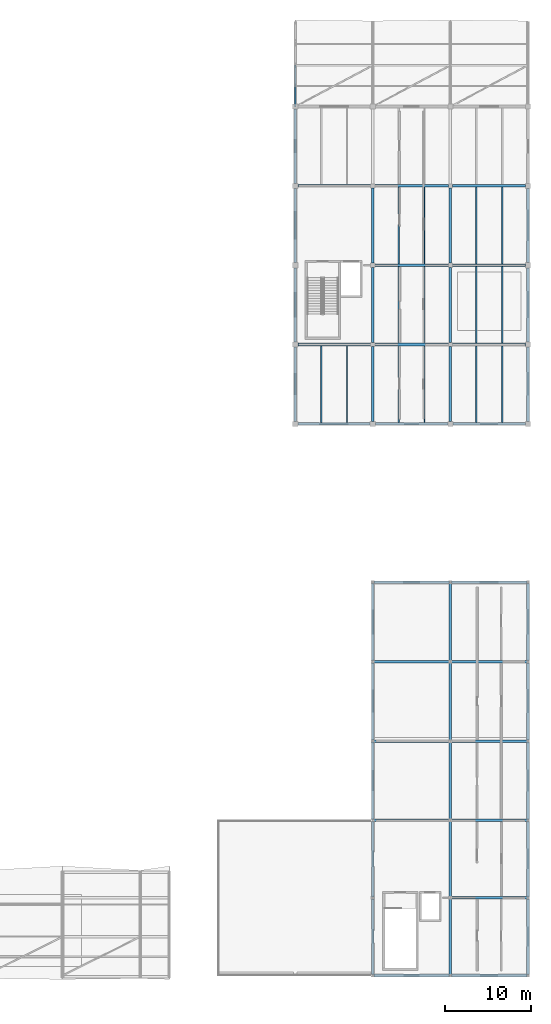
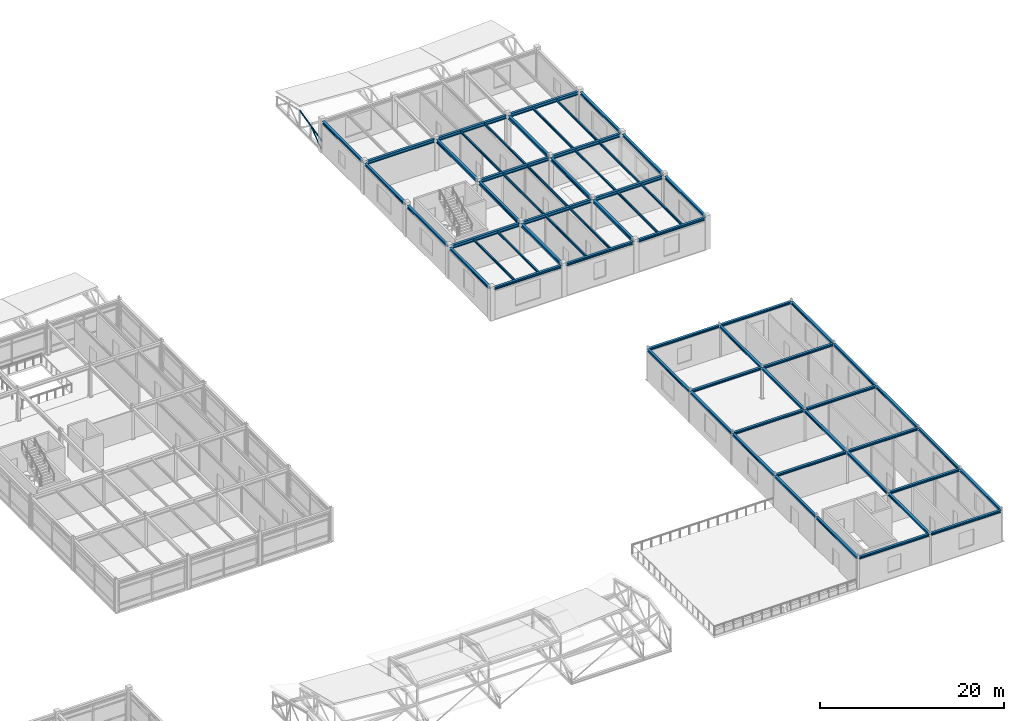
# One storey, part 24 of 55: 64 beams, 2 members.
"""IFC4 building model written with IfcOpenShell, lengths in metres."""

from ifc_helpers import new_model, si_unit, direction, frame, origin, origin_2d, place, context, subcontext, project, spatial, hollow_rectangle, i_section, extrude, material, material_profile, profile_set, type_object, element, save


model = new_model("IFC4")

# Units and contexts
model_context = context("Model", 3, precision=1e-05, world=origin(), true_north=direction((0.0, 1.0)))
body_context = subcontext(model_context, "Body", "Model", "MODEL_VIEW")
ifc_project = project(units=[si_unit("LENGTHUNIT", "METRE"), si_unit("AREAUNIT", "SQUARE_METRE"), si_unit("VOLUMEUNIT", "CUBIC_METRE"), si_unit("PLANEANGLEUNIT", "RADIAN"), si_unit("MASSUNIT", "GRAM", prefix="KILO")], contexts=[model_context])

# Site, building, storey
site_placement = place(None, origin())
site = spatial("IfcSite", under=ifc_project, at=site_placement, CompositionType="ELEMENT")
building_placement = place(site_placement, origin())
building = spatial("IfcBuilding", under=site, at=building_placement, Name="Bozkorgan Art Gallery", CompositionType="ELEMENT")
storey_placement = place(building_placement, frame((0.0, 0.0, 15.0)))
storey = spatial("IfcBuildingStorey", under=building, at=storey_placement, Name="L03", CompositionType="ELEMENT", Elevation=15.0)

# Beams
ifc_material = material(Name="Steel S355J2", Category="steel")
ifc_material_profile_1 = material_profile(ifc_material, i_section(OverallWidth=0.300048828125, OverallDepth=0.31005859375, WebThickness=0.009033203125, FlangeThickness=0.015380859375, FilletRadius=0.027099609375, at=origin_2d()), Name="HEA 320")
ifc_profile_set_1 = profile_set([ifc_material_profile_1], Name="Steel S355J2")
beam_type_1 = type_object("IfcBeamType", Name="BEAM-BM-36", PredefinedType="BEAM", material=ifc_profile_set_1)
for number, where, z_axis, x_axis, name in (
    (1, (146.1201171875, 2.0, 4.02490234375), (1.0, 0.0, 0.0), (0.0, 1.0, 0.0), "V6 L03 beam X (146-155, 2.0)"),
    (2, (155.1201171875, 2.0, 4.02490234375), (1.0, 0.0, 0.0), (0.0, 1.0, 0.0), "V6 L03 beam X (155-164, 2.0)"),
):
    element("IfcBeam", number, at=place(storey_placement, frame(where, z_axis=z_axis, x_axis=x_axis)), inside=storey, type_object=beam_type_1, Name=name, PredefinedType="BEAM", context=body_context, shape_type="SweptSolid", body=[
        extrude(i_section(OverallWidth=0.300048828125, OverallDepth=0.31005859375, WebThickness=0.009033203125, FlangeThickness=0.015380859375, FilletRadius=0.027099609375, at=origin_2d()), origin(), (0.0, 0.0, 1.0), 8.759765625),
    ])
for number, where, z_axis, x_axis, name in (
    (3, (155.1298828125, 11.0, 4.02490234375), (1.0, 0.0, 0.0), (0.0, 1.0, 0.0), "V6 L03 beam X (155-164, 11.0)"),
    (4, (146.1201171875, 20.0, 4.02490234375), (1.0, 0.0, 0.0), (0.0, 1.0, 0.0), "V6 L03 beam X (146-155, 20.0)"),
    (5, (155.1298828125, 20.0, 4.02490234375), (1.0, 0.0, 0.0), (0.0, 1.0, 0.0), "V6 L03 beam X (155-164, 20.0)"),
    (6, (146.1201171875, 29.199951171875, 4.02490234375), (1.0, 0.0, 0.0), (0.0, 1.0, 0.0), "V6 L03 beam X (146-155, 29.2)"),
    (7, (155.1298828125, 29.199951171875, 4.02490234375), (1.0, 0.0, 0.0), (0.0, 1.0, 0.0), "V6 L03 beam X (155-164, 29.2)"),
    (8, (146.1201171875, 38.39990234375, 4.02490234375), (1.0, 0.0, 0.0), (0.0, 1.0, 0.0), "V6 L03 beam X (146-155, 38.4)"),
    (9, (155.1298828125, 38.39990234375, 4.02490234375), (1.0, 0.0, 0.0), (0.0, 1.0, 0.0), "V6 L03 beam X (155-164, 38.4)"),
):
    element("IfcBeam", number, at=place(storey_placement, frame(where, z_axis=z_axis, x_axis=x_axis)), inside=storey, type_object=beam_type_1, Name=name, PredefinedType="BEAM", context=body_context, shape_type="SweptSolid", body=[
        extrude(i_section(OverallWidth=0.300048828125, OverallDepth=0.31005859375, WebThickness=0.009033203125, FlangeThickness=0.015380859375, FilletRadius=0.027099609375, at=origin_2d()), origin(), (0.0, 0.0, 1.0), 8.75),
    ])
for number, where, z_axis, x_axis, name in (
    (10, (146.1201171875, 47.60009765625, 4.02490234375), (1.0, 0.0, 0.0), (0.0, 1.0, 0.0), "V6 L03 beam X (146-155, 47.6)"),
    (11, (155.1201171875, 47.60009765625, 4.02490234375), (1.0, 0.0, 0.0), (0.0, 1.0, 0.0), "V6 L03 beam X (155-164, 47.6)"),
    (12, (146.0, 2.1201171875, 4.02490234375), (0.0, 1.0, 0.0), (-1.0, 0.0, 0.0), "V6 L03 beam Y (146, 2.0-11.0)"),
    (13, (146.0, 11.1201171875, 4.02490234375), (0.0, 1.0, 0.0), (-1.0, 0.0, 0.0), "V6 L03 beam Y (146, 11.0-20.0)"),
):
    element("IfcBeam", number, at=place(storey_placement, frame(where, z_axis=z_axis, x_axis=x_axis)), inside=storey, type_object=beam_type_1, Name=name, PredefinedType="BEAM", context=body_context, shape_type="SweptSolid", body=[
        extrude(i_section(OverallWidth=0.300048828125, OverallDepth=0.31005859375, WebThickness=0.009033203125, FlangeThickness=0.015380859375, FilletRadius=0.027099609375, at=origin_2d()), origin(), (0.0, 0.0, 1.0), 8.759765625),
    ])
for number, where, z_axis, x_axis, name in (
    (14, (146.0, 20.1201171875, 4.02490234375), (0.0, 1.0, 0.0), (-1.0, 0.0, 0.0), "V6 L03 beam Y (146, 20.0-29.2)"),
    (15, (146.0, 29.320068359375, 4.02490234375), (0.0, 1.0, 0.0), (-1.0, 0.0, 0.0), "V6 L03 beam Y (146, 29.2-38.4)"),
    (16, (146.0, 38.52001953125, 4.02490234375), (0.0, 1.0, 0.0), (-1.0, 0.0, 0.0), "V6 L03 beam Y (146, 38.4-47.6)"),
):
    element("IfcBeam", number, at=place(storey_placement, frame(where, z_axis=z_axis, x_axis=x_axis)), inside=storey, type_object=beam_type_1, Name=name, PredefinedType="BEAM", context=body_context, shape_type="SweptSolid", body=[
        extrude(i_section(OverallWidth=0.300048828125, OverallDepth=0.31005859375, WebThickness=0.009033203125, FlangeThickness=0.015380859375, FilletRadius=0.027099609375, at=origin_2d()), origin(), (0.0, 0.0, 1.0), 8.9599609375),
    ])
beam_1_placement = place(storey_placement, frame((155.0, 2.1201171875, 4.02490234375), z_axis=(0.0, 1.0, 0.0), x_axis=(-1.0, 0.0, 0.0)))
element("IfcBeam", 17, at=beam_1_placement, inside=storey, type_object=beam_type_1, Name="V6 L03 beam Y (155, 2.0-11.0)", PredefinedType="BEAM", context=body_context, shape_type="SweptSolid", body=[
    extrude(i_section(OverallWidth=0.300048828125, OverallDepth=0.31005859375, WebThickness=0.009033203125, FlangeThickness=0.015380859375, FilletRadius=0.027099609375, at=origin_2d()), origin(), (0.0, 0.0, 1.0), 8.7548828125),
])
beam_2_placement = place(storey_placement, frame((155.0, 11.125, 4.02490234375), z_axis=(0.0, 1.0, 0.0), x_axis=(-1.0, 0.0, 0.0)))
element("IfcBeam", 18, at=beam_2_placement, inside=storey, type_object=beam_type_1, Name="V6 L03 beam Y (155, 11.0-20.0)", PredefinedType="BEAM", context=body_context, shape_type="SweptSolid", body=[
    extrude(i_section(OverallWidth=0.300048828125, OverallDepth=0.31005859375, WebThickness=0.009033203125, FlangeThickness=0.015380859375, FilletRadius=0.027099609375, at=origin_2d()), origin(), (0.0, 0.0, 1.0), 8.75),
])
for number, where, z_axis, x_axis, name in (
    (19, (155.0, 20.125, 4.02490234375), (0.0, 1.0, 0.0), (-1.0, 0.0, 0.0), "V6 L03 beam Y (155, 20.0-29.2)"),
    (20, (155.0, 29.324951171875, 4.02490234375), (0.0, 1.0, 0.0), (-1.0, 0.0, 0.0), "V6 L03 beam Y (155, 29.2-38.4)"),
):
    element("IfcBeam", number, at=place(storey_placement, frame(where, z_axis=z_axis, x_axis=x_axis)), inside=storey, type_object=beam_type_1, Name=name, PredefinedType="BEAM", context=body_context, shape_type="SweptSolid", body=[
        extrude(i_section(OverallWidth=0.300048828125, OverallDepth=0.31005859375, WebThickness=0.009033203125, FlangeThickness=0.015380859375, FilletRadius=0.027099609375, at=origin_2d()), origin(), (0.0, 0.0, 1.0), 8.949951171875),
    ])
beam_3_placement = place(storey_placement, frame((155.0, 38.52490234375, 4.02490234375), z_axis=(0.0, 1.0, 0.0), x_axis=(-1.0, 0.0, 0.0)))
element("IfcBeam", 21, at=beam_3_placement, inside=storey, type_object=beam_type_1, Name="V6 L03 beam Y (155, 38.4-47.6)", PredefinedType="BEAM", context=body_context, shape_type="SweptSolid", body=[
    extrude(i_section(OverallWidth=0.300048828125, OverallDepth=0.31005859375, WebThickness=0.009033203125, FlangeThickness=0.015380859375, FilletRadius=0.027099609375, at=origin_2d()), origin(), (0.0, 0.0, 1.0), 8.955078125),
])
for number, where, z_axis, x_axis, name in (
    (22, (164.0, 2.1201171875, 4.02490234375), (0.0, 1.0, 0.0), (-1.0, 0.0, 0.0), "V6 L03 beam Y (164, 2.0-11.0)"),
    (23, (164.0, 11.1201171875, 4.02490234375), (0.0, 1.0, 0.0), (-1.0, 0.0, 0.0), "V6 L03 beam Y (164, 11.0-20.0)"),
):
    element("IfcBeam", number, at=place(storey_placement, frame(where, z_axis=z_axis, x_axis=x_axis)), inside=storey, type_object=beam_type_1, Name=name, PredefinedType="BEAM", context=body_context, shape_type="SweptSolid", body=[
        extrude(i_section(OverallWidth=0.300048828125, OverallDepth=0.31005859375, WebThickness=0.009033203125, FlangeThickness=0.015380859375, FilletRadius=0.027099609375, at=origin_2d()), origin(), (0.0, 0.0, 1.0), 8.759765625),
    ])
for number, where, z_axis, x_axis, name in (
    (24, (164.0, 20.1201171875, 4.02490234375), (0.0, 1.0, 0.0), (-1.0, 0.0, 0.0), "V6 L03 beam Y (164, 20.0-29.2)"),
    (25, (164.0, 29.320068359375, 4.02490234375), (0.0, 1.0, 0.0), (-1.0, 0.0, 0.0), "V6 L03 beam Y (164, 29.2-38.4)"),
    (26, (164.0, 38.52001953125, 4.02490234375), (0.0, 1.0, 0.0), (-1.0, 0.0, 0.0), "V6 L03 beam Y (164, 38.4-47.6)"),
):
    element("IfcBeam", number, at=place(storey_placement, frame(where, z_axis=z_axis, x_axis=x_axis)), inside=storey, type_object=beam_type_1, Name=name, PredefinedType="BEAM", context=body_context, shape_type="SweptSolid", body=[
        extrude(i_section(OverallWidth=0.300048828125, OverallDepth=0.31005859375, WebThickness=0.009033203125, FlangeThickness=0.015380859375, FilletRadius=0.027099609375, at=origin_2d()), origin(), (0.0, 0.0, 1.0), 8.9599609375),
    ])
ifc_material_profile_2 = material_profile(ifc_material, i_section(OverallWidth=0.300048828125, OverallDepth=0.43994140625, WebThickness=0.011474609375, FlangeThickness=0.02099609375, FilletRadius=0.027099609375, at=origin_2d()), Name="HEA 450")
ifc_profile_set_2 = profile_set([ifc_material_profile_2], Name="Steel S355J2")
beam_type_2 = type_object("IfcBeamType", Name="BEAM-BM-76", PredefinedType="BEAM", material=ifc_profile_set_2)
beam_4_placement = place(storey_placement, frame((137.300048828125, 75.199951171875, 3.9599609375), z_axis=(1.0, 0.0, 0.0), x_axis=(0.0, 1.0, 0.0)))
element("IfcBeam", 27, at=beam_4_placement, inside=storey, type_object=beam_type_2, Name="V5 L03 beam X (137-146, 75.2)", PredefinedType="BEAM", context=body_context, shape_type="SweptSolid", body=[
    extrude(i_section(OverallWidth=0.300048828125, OverallDepth=0.43994140625, WebThickness=0.011474609375, FlangeThickness=0.02099609375, FilletRadius=0.027099609375, at=origin_2d()), origin(), (0.0, 0.0, 1.0), 8.449951171875),
])
beam_5_placement = place(storey_placement, frame((146.25, 75.199951171875, 3.9599609375), z_axis=(1.0, 0.0, 0.0), x_axis=(0.0, 1.0, 0.0)))
element("IfcBeam", 28, at=beam_5_placement, inside=storey, type_object=beam_type_2, Name="V5 L03 beam X (146-155, 75.2)", PredefinedType="BEAM", context=body_context, shape_type="SweptSolid", body=[
    extrude(i_section(OverallWidth=0.300048828125, OverallDepth=0.43994140625, WebThickness=0.011474609375, FlangeThickness=0.02099609375, FilletRadius=0.027099609375, at=origin_2d()), origin(), (0.0, 0.0, 1.0), 8.5),
])
beam_6_placement = place(storey_placement, frame((155.25, 75.199951171875, 3.9599609375), z_axis=(1.0, 0.0, 0.0), x_axis=(0.0, 1.0, 0.0)))
element("IfcBeam", 29, at=beam_6_placement, inside=storey, type_object=beam_type_2, Name="V5 L03 beam X (155-164, 75.2)", PredefinedType="BEAM", context=body_context, shape_type="SweptSolid", body=[
    extrude(i_section(OverallWidth=0.300048828125, OverallDepth=0.43994140625, WebThickness=0.011474609375, FlangeThickness=0.02099609375, FilletRadius=0.027099609375, at=origin_2d()), origin(), (0.0, 0.0, 1.0), 8.449951171875),
])
beam_7_placement = place(storey_placement, frame((146.25, 84.39990234375, 3.9599609375), z_axis=(1.0, 0.0, 0.0), x_axis=(0.0, 1.0, 0.0)))
element("IfcBeam", 30, at=beam_7_placement, inside=storey, type_object=beam_type_2, Name="V5 L03 beam X (146-155, 84.4)", PredefinedType="BEAM", context=body_context, shape_type="SweptSolid", body=[
    extrude(i_section(OverallWidth=0.300048828125, OverallDepth=0.43994140625, WebThickness=0.011474609375, FlangeThickness=0.02099609375, FilletRadius=0.027099609375, at=origin_2d()), origin(), (0.0, 0.0, 1.0), 8.5),
])
for number, where, z_axis, x_axis, name in (
    (31, (155.25, 84.39990234375, 3.9599609375), (1.0, 0.0, 0.0), (0.0, 1.0, 0.0), "V5 L03 beam X (155-164, 84.4)"),
    (32, (137.300048828125, 93.60009765625, 3.9599609375), (1.0, 0.0, 0.0), (0.0, 1.0, 0.0), "V5 L03 beam X (137-146, 93.6)"),
):
    element("IfcBeam", number, at=place(storey_placement, frame(where, z_axis=z_axis, x_axis=x_axis)), inside=storey, type_object=beam_type_2, Name=name, PredefinedType="BEAM", context=body_context, shape_type="SweptSolid", body=[
        extrude(i_section(OverallWidth=0.300048828125, OverallDepth=0.43994140625, WebThickness=0.011474609375, FlangeThickness=0.02099609375, FilletRadius=0.027099609375, at=origin_2d()), origin(), (0.0, 0.0, 1.0), 8.449951171875),
    ])
beam_8_placement = place(storey_placement, frame((146.25, 93.60009765625, 3.9599609375), z_axis=(1.0, 0.0, 0.0), x_axis=(0.0, 1.0, 0.0)))
element("IfcBeam", 33, at=beam_8_placement, inside=storey, type_object=beam_type_2, Name="V5 L03 beam X (146-155, 93.6)", PredefinedType="BEAM", context=body_context, shape_type="SweptSolid", body=[
    extrude(i_section(OverallWidth=0.300048828125, OverallDepth=0.43994140625, WebThickness=0.011474609375, FlangeThickness=0.02099609375, FilletRadius=0.027099609375, at=origin_2d()), origin(), (0.0, 0.0, 1.0), 8.5),
])
beam_9_placement = place(storey_placement, frame((155.25, 93.60009765625, 3.9599609375), z_axis=(1.0, 0.0, 0.0), x_axis=(0.0, 1.0, 0.0)))
element("IfcBeam", 34, at=beam_9_placement, inside=storey, type_object=beam_type_2, Name="V5 L03 beam X (155-164, 93.6)", PredefinedType="BEAM", context=body_context, shape_type="SweptSolid", body=[
    extrude(i_section(OverallWidth=0.300048828125, OverallDepth=0.43994140625, WebThickness=0.011474609375, FlangeThickness=0.02099609375, FilletRadius=0.027099609375, at=origin_2d()), origin(), (0.0, 0.0, 1.0), 8.449951171875),
])
beam_10_placement = place(storey_placement, frame((146.0, 66.300048828125, 3.9599609375), z_axis=(0.0, 1.0, 0.0), x_axis=(-1.0, 0.0, 0.0)))
element("IfcBeam", 35, at=beam_10_placement, inside=storey, type_object=beam_type_2, Name="V5 L03 beam Y (146, 66.0-75.2)", PredefinedType="BEAM", context=body_context, shape_type="SweptSolid", body=[
    extrude(i_section(OverallWidth=0.300048828125, OverallDepth=0.43994140625, WebThickness=0.011474609375, FlangeThickness=0.02099609375, FilletRadius=0.027099609375, at=origin_2d()), origin(), (0.0, 0.0, 1.0), 8.64990234375),
])
beam_11_placement = place(storey_placement, frame((146.0, 75.449951171875, 3.9599609375), z_axis=(0.0, 1.0, 0.0), x_axis=(-1.0, 0.0, 0.0)))
element("IfcBeam", 36, at=beam_11_placement, inside=storey, type_object=beam_type_2, Name="V5 L03 beam Y (146, 75.2-84.4)", PredefinedType="BEAM", context=body_context, shape_type="SweptSolid", body=[
    extrude(i_section(OverallWidth=0.300048828125, OverallDepth=0.43994140625, WebThickness=0.011474609375, FlangeThickness=0.02099609375, FilletRadius=0.027099609375, at=origin_2d()), origin(), (0.0, 0.0, 1.0), 8.699951171875),
])
beam_12_placement = place(storey_placement, frame((146.0, 84.64990234375, 3.9599609375), z_axis=(0.0, 1.0, 0.0), x_axis=(-1.0, 0.0, 0.0)))
element("IfcBeam", 37, at=beam_12_placement, inside=storey, type_object=beam_type_2, Name="V5 L03 beam Y (146, 84.4-93.6)", PredefinedType="BEAM", context=body_context, shape_type="SweptSolid", body=[
    extrude(i_section(OverallWidth=0.300048828125, OverallDepth=0.43994140625, WebThickness=0.011474609375, FlangeThickness=0.02099609375, FilletRadius=0.027099609375, at=origin_2d()), origin(), (0.0, 0.0, 1.0), 8.7001953125),
])
beam_13_placement = place(storey_placement, frame((155.0, 66.300048828125, 3.9599609375), z_axis=(0.0, 1.0, 0.0), x_axis=(-1.0, 0.0, 0.0)))
element("IfcBeam", 38, at=beam_13_placement, inside=storey, type_object=beam_type_2, Name="V5 L03 beam Y (155, 66.0-75.2)", PredefinedType="BEAM", context=body_context, shape_type="SweptSolid", body=[
    extrude(i_section(OverallWidth=0.300048828125, OverallDepth=0.43994140625, WebThickness=0.011474609375, FlangeThickness=0.02099609375, FilletRadius=0.027099609375, at=origin_2d()), origin(), (0.0, 0.0, 1.0), 8.64990234375),
])
beam_14_placement = place(storey_placement, frame((155.0, 75.449951171875, 3.9599609375), z_axis=(0.0, 1.0, 0.0), x_axis=(-1.0, 0.0, 0.0)))
element("IfcBeam", 39, at=beam_14_placement, inside=storey, type_object=beam_type_2, Name="V5 L03 beam Y (155, 75.2-84.4)", PredefinedType="BEAM", context=body_context, shape_type="SweptSolid", body=[
    extrude(i_section(OverallWidth=0.300048828125, OverallDepth=0.43994140625, WebThickness=0.011474609375, FlangeThickness=0.02099609375, FilletRadius=0.027099609375, at=origin_2d()), origin(), (0.0, 0.0, 1.0), 8.699951171875),
])
beam_15_placement = place(storey_placement, frame((155.0, 84.64990234375, 3.9599609375), z_axis=(0.0, 1.0, 0.0), x_axis=(-1.0, 0.0, 0.0)))
element("IfcBeam", 40, at=beam_15_placement, inside=storey, type_object=beam_type_2, Name="V5 L03 beam Y (155, 84.4-93.6)", PredefinedType="BEAM", context=body_context, shape_type="SweptSolid", body=[
    extrude(i_section(OverallWidth=0.300048828125, OverallDepth=0.43994140625, WebThickness=0.011474609375, FlangeThickness=0.02099609375, FilletRadius=0.027099609375, at=origin_2d()), origin(), (0.0, 0.0, 1.0), 8.7001953125),
])
ifc_material_profile_3 = material_profile(ifc_material, i_section(OverallWidth=0.14990234375, OverallDepth=0.300048828125, WebThickness=0.007080078125, FlangeThickness=0.0107421875, FilletRadius=0.014892578125, at=origin_2d()), Name="IPE 300")
ifc_profile_set_3 = profile_set([ifc_material_profile_3], Name="Steel S355J2")
beam_type_3 = type_object("IfcBeamType", Name="BEAM-JS-88", PredefinedType="JOIST", material=ifc_profile_set_3)
for number, where, z_axis, x_axis, name in (
    (41, (140.0, 66.14990234375, 4.030029296875), (0.0, 1.0, 0.0), (-1.0, 0.0, 0.0), "V5 L03 secondary joist (137-146, 66.0-75.2) #1"),
    (42, (143.0, 66.14990234375, 4.030029296875), (0.0, 1.0, 0.0), (-1.0, 0.0, 0.0), "V5 L03 secondary joist (137-146, 66.0-75.2) #2"),
    (43, (149.0, 66.14990234375, 4.030029296875), (0.0, 1.0, 0.0), (-1.0, 0.0, 0.0), "V5 L03 secondary joist (146-155, 66.0-75.2) #1"),
    (44, (152.0, 66.14990234375, 4.030029296875), (0.0, 1.0, 0.0), (-1.0, 0.0, 0.0), "V5 L03 secondary joist (146-155, 66.0-75.2) #2"),
):
    element("IfcBeam", number, at=place(storey_placement, frame(where, z_axis=z_axis, x_axis=x_axis)), inside=storey, type_object=beam_type_3, Name=name, PredefinedType="JOIST", context=body_context, shape_type="SweptSolid", body=[
        extrude(i_section(OverallWidth=0.14990234375, OverallDepth=0.300048828125, WebThickness=0.007080078125, FlangeThickness=0.0107421875, FilletRadius=0.014892578125, at=origin_2d()), origin(), (0.0, 0.0, 1.0), 8.900146484375),
    ])
for number, where, z_axis, x_axis, name in (
    (45, (149.0, 75.35009765625, 4.030029296875), (0.0, 1.0, 0.0), (-1.0, 0.0, 0.0), "V5 L03 secondary joist (146-155, 75.2-84.4) #1"),
    (46, (152.0, 75.35009765625, 4.030029296875), (0.0, 1.0, 0.0), (-1.0, 0.0, 0.0), "V5 L03 secondary joist (146-155, 75.2-84.4) #2"),
    (47, (149.0, 84.550048828125, 4.030029296875), (0.0, 1.0, 0.0), (-1.0, 0.0, 0.0), "V5 L03 secondary joist (146-155, 84.4-93.6) #1"),
    (48, (152.0, 84.550048828125, 4.030029296875), (0.0, 1.0, 0.0), (-1.0, 0.0, 0.0), "V5 L03 secondary joist (146-155, 84.4-93.6) #2"),
):
    element("IfcBeam", number, at=place(storey_placement, frame(where, z_axis=z_axis, x_axis=x_axis)), inside=storey, type_object=beam_type_3, Name=name, PredefinedType="JOIST", context=body_context, shape_type="SweptSolid", body=[
        extrude(i_section(OverallWidth=0.14990234375, OverallDepth=0.300048828125, WebThickness=0.007080078125, FlangeThickness=0.0107421875, FilletRadius=0.014892578125, at=origin_2d()), origin(), (0.0, 0.0, 1.0), 8.89990234375),
    ])
for number, where, z_axis, x_axis, name in (
    (49, (158.0, 66.14990234375, 4.030029296875), (0.0, 1.0, 0.0), (-1.0, 0.0, 0.0), "V5 L03 secondary joist (155-164, 66.0-75.2) #1"),
    (50, (161.0, 66.14990234375, 4.030029296875), (0.0, 1.0, 0.0), (-1.0, 0.0, 0.0), "V5 L03 secondary joist (155-164, 66.0-75.2) #2"),
):
    element("IfcBeam", number, at=place(storey_placement, frame(where, z_axis=z_axis, x_axis=x_axis)), inside=storey, type_object=beam_type_3, Name=name, PredefinedType="JOIST", context=body_context, shape_type="SweptSolid", body=[
        extrude(i_section(OverallWidth=0.14990234375, OverallDepth=0.300048828125, WebThickness=0.007080078125, FlangeThickness=0.0107421875, FilletRadius=0.014892578125, at=origin_2d()), origin(), (0.0, 0.0, 1.0), 8.900146484375),
    ])
for number, where, z_axis, x_axis, name in (
    (51, (158.0, 75.35009765625, 4.030029296875), (0.0, 1.0, 0.0), (-1.0, 0.0, 0.0), "V5 L03 secondary joist (155-164, 75.2-84.4) #1"),
    (52, (161.0, 75.35009765625, 4.030029296875), (0.0, 1.0, 0.0), (-1.0, 0.0, 0.0), "V5 L03 secondary joist (155-164, 75.2-84.4) #2"),
    (53, (158.0, 84.550048828125, 4.030029296875), (0.0, 1.0, 0.0), (-1.0, 0.0, 0.0), "V5 L03 secondary joist (155-164, 84.4-93.6) #1"),
    (54, (161.0, 84.550048828125, 4.030029296875), (0.0, 1.0, 0.0), (-1.0, 0.0, 0.0), "V5 L03 secondary joist (155-164, 84.4-93.6) #2"),
):
    element("IfcBeam", number, at=place(storey_placement, frame(where, z_axis=z_axis, x_axis=x_axis)), inside=storey, type_object=beam_type_3, Name=name, PredefinedType="JOIST", context=body_context, shape_type="SweptSolid", body=[
        extrude(i_section(OverallWidth=0.14990234375, OverallDepth=0.300048828125, WebThickness=0.007080078125, FlangeThickness=0.0107421875, FilletRadius=0.014892578125, at=origin_2d()), origin(), (0.0, 0.0, 1.0), 8.89990234375),
    ])
ifc_material_profile_4 = material_profile(ifc_material, i_section(OverallWidth=0.300048828125, OverallDepth=0.330078125, WebThickness=0.009521484375, FlangeThickness=0.0166015625, FilletRadius=0.027099609375, at=origin_2d()), Name="HEA 340")
ifc_profile_set_4 = profile_set([ifc_material_profile_4], Name="Steel S355J2")
beam_type_4 = type_object("IfcBeamType", Name="BEAM-SP-91", PredefinedType="SPANDREL", material=ifc_profile_set_4)
for number, where, z_axis, x_axis, name in (
    (55, (137.300048828125, 66.0, 4.014892578125), (1.0, 0.0, 0.0), (0.0, 1.0, 0.0), "V5 L03 spandrel X (137-146, 66.0)"),
    (56, (146.300048828125, 66.0, 4.014892578125), (1.0, 0.0, 0.0), (0.0, 1.0, 0.0), "V5 L03 spandrel X (146-155, 66.0)"),
    (57, (155.300048828125, 66.0, 4.014892578125), (1.0, 0.0, 0.0), (0.0, 1.0, 0.0), "V5 L03 spandrel X (155-164, 66.0)"),
):
    element("IfcBeam", number, at=place(storey_placement, frame(where, z_axis=z_axis, x_axis=x_axis)), inside=storey, type_object=beam_type_4, Name=name, PredefinedType="SPANDREL", context=body_context, shape_type="SweptSolid", body=[
        extrude(i_section(OverallWidth=0.300048828125, OverallDepth=0.330078125, WebThickness=0.009521484375, FlangeThickness=0.0166015625, FilletRadius=0.027099609375, at=origin_2d()), origin(), (0.0, 0.0, 1.0), 8.39990234375),
    ])
beam_16_placement = place(storey_placement, frame((137.0, 66.300048828125, 4.014892578125), z_axis=(0.0, 1.0, 0.0), x_axis=(-1.0, 0.0, 0.0)))
element("IfcBeam", 58, at=beam_16_placement, inside=storey, type_object=beam_type_4, Name="V5 L03 spandrel Y (137, 66.0-75.2)", PredefinedType="SPANDREL", context=body_context, shape_type="SweptSolid", body=[
    extrude(i_section(OverallWidth=0.300048828125, OverallDepth=0.330078125, WebThickness=0.009521484375, FlangeThickness=0.0166015625, FilletRadius=0.027099609375, at=origin_2d()), origin(), (0.0, 0.0, 1.0), 8.599853515625),
])
for number, where, z_axis, x_axis, name in (
    (59, (137.0, 75.5, 4.014892578125), (0.0, 1.0, 0.0), (-1.0, 0.0, 0.0), "V5 L03 spandrel Y (137, 75.2-84.4)"),
    (60, (137.0, 84.699951171875, 4.014892578125), (0.0, 1.0, 0.0), (-1.0, 0.0, 0.0), "V5 L03 spandrel Y (137, 84.4-93.6)"),
    (61, (137.0, 93.89990234375, 4.014892578125), (0.0, 1.0, 0.0), (-1.0, 0.0, 0.0), "V5 L03 spandrel Y (137, 93.6-102.8)"),
):
    element("IfcBeam", number, at=place(storey_placement, frame(where, z_axis=z_axis, x_axis=x_axis)), inside=storey, type_object=beam_type_4, Name=name, PredefinedType="SPANDREL", context=body_context, shape_type="SweptSolid", body=[
        extrude(i_section(OverallWidth=0.300048828125, OverallDepth=0.330078125, WebThickness=0.009521484375, FlangeThickness=0.0166015625, FilletRadius=0.027099609375, at=origin_2d()), origin(), (0.0, 0.0, 1.0), 8.60009765625),
    ])
beam_17_placement = place(storey_placement, frame((164.0, 66.300048828125, 4.014892578125), z_axis=(0.0, 1.0, 0.0), x_axis=(-1.0, 0.0, 0.0)))
element("IfcBeam", 62, at=beam_17_placement, inside=storey, type_object=beam_type_4, Name="V5 L03 spandrel Y (164, 66.0-75.2)", PredefinedType="SPANDREL", context=body_context, shape_type="SweptSolid", body=[
    extrude(i_section(OverallWidth=0.300048828125, OverallDepth=0.330078125, WebThickness=0.009521484375, FlangeThickness=0.0166015625, FilletRadius=0.027099609375, at=origin_2d()), origin(), (0.0, 0.0, 1.0), 8.599853515625),
])
for number, where, z_axis, x_axis, name in (
    (63, (164.0, 75.5, 4.014892578125), (0.0, 1.0, 0.0), (-1.0, 0.0, 0.0), "V5 L03 spandrel Y (164, 75.2-84.4)"),
    (64, (164.0, 84.699951171875, 4.014892578125), (0.0, 1.0, 0.0), (-1.0, 0.0, 0.0), "V5 L03 spandrel Y (164, 84.4-93.6)"),
):
    element("IfcBeam", number, at=place(storey_placement, frame(where, z_axis=z_axis, x_axis=x_axis)), inside=storey, type_object=beam_type_4, Name=name, PredefinedType="SPANDREL", context=body_context, shape_type="SweptSolid", body=[
        extrude(i_section(OverallWidth=0.300048828125, OverallDepth=0.330078125, WebThickness=0.009521484375, FlangeThickness=0.0166015625, FilletRadius=0.027099609375, at=origin_2d()), origin(), (0.0, 0.0, 1.0), 8.60009765625),
    ])

# Members
ifc_material_profile_5 = material_profile(ifc_material, hollow_rectangle(XDim=0.1201171875, YDim=0.199951171875, WallThickness=0.008056640625, InnerFilletRadius=0.011962890625, OuterFilletRadius=0.02001953125, at=origin_2d()), Name="RHS 200x120x8")
ifc_profile_set_5 = profile_set([ifc_material_profile_5], Name="Steel S355J2")
member_type_1 = type_object("IfcMemberType", Name="MEMBER-TC-48", PredefinedType="CHORD", material=ifc_profile_set_5)
member_1_placement = place(storey_placement, frame((137.0, 102.800048828125, 1.33154296875), z_axis=(0.0, 0.973583811685, 0.228329940272), x_axis=(-1.0, 0.0, 0.0)))
element("IfcMember", 65, at=member_1_placement, inside=storey, type_object=member_type_1, Name="ROOF-V5-STEP3 roof truss 1 south top chord", PredefinedType="CHORD", context=body_context, shape_type="SweptSolid", body=[
    extrude(hollow_rectangle(XDim=0.1201171875, YDim=0.199951171875, WallThickness=0.008056640625, InnerFilletRadius=0.011962890625, OuterFilletRadius=0.02001953125, at=origin_2d()), origin(), (0.0, 0.0, 1.0), 4.93017578125),
])
ifc_material_profile_6 = material_profile(ifc_material, hollow_rectangle(XDim=0.10009765625, YDim=0.179931640625, WallThickness=0.008056640625, InnerFilletRadius=0.011962890625, OuterFilletRadius=0.02001953125, at=origin_2d()), Name="RHS 180x100x8")
ifc_profile_set_6 = profile_set([ifc_material_profile_6], Name="Steel S355J2")
member_type_2 = type_object("IfcMemberType", Name="MEMBER-TW-22", PredefinedType="BRACE", material=ifc_profile_set_6)
member_2_placement = place(storey_placement, frame((137.0, 102.949951171875, 0.179931640625), z_axis=(0.0, 0.795419832328, 0.606058817557), x_axis=(-1.0, 0.0, 0.0)))
element("IfcMember", 66, at=member_2_placement, inside=storey, type_object=member_type_2, Name="ROOF-V5-STEP3 roof truss 1 diagonal 1", PredefinedType="BRACE", context=body_context, shape_type="SweptSolid", body=[
    extrude(hollow_rectangle(XDim=0.10009765625, YDim=0.179931640625, WallThickness=0.008056640625, InnerFilletRadius=0.011962890625, OuterFilletRadius=0.02001953125, at=origin_2d()), origin(), (0.0, 0.0, 1.0), 2.82861328125),
])

save(model, "model.ifc")
